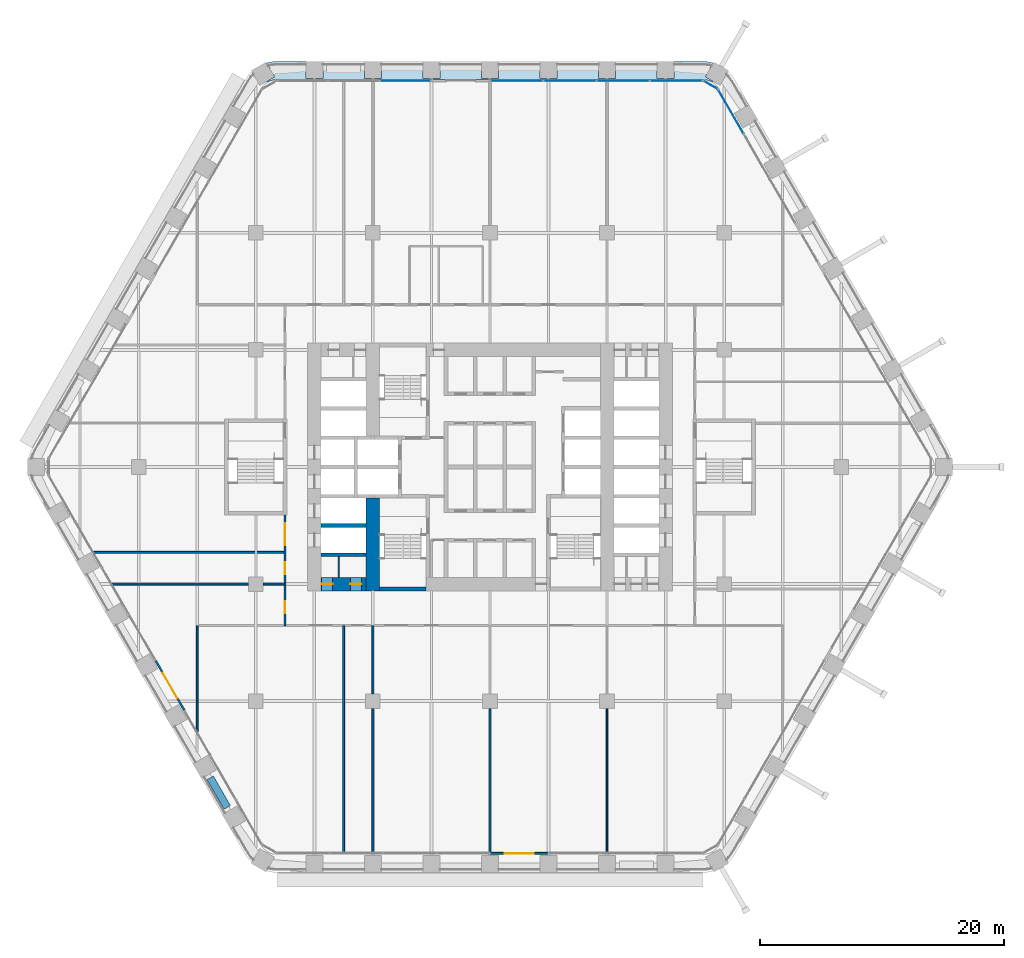
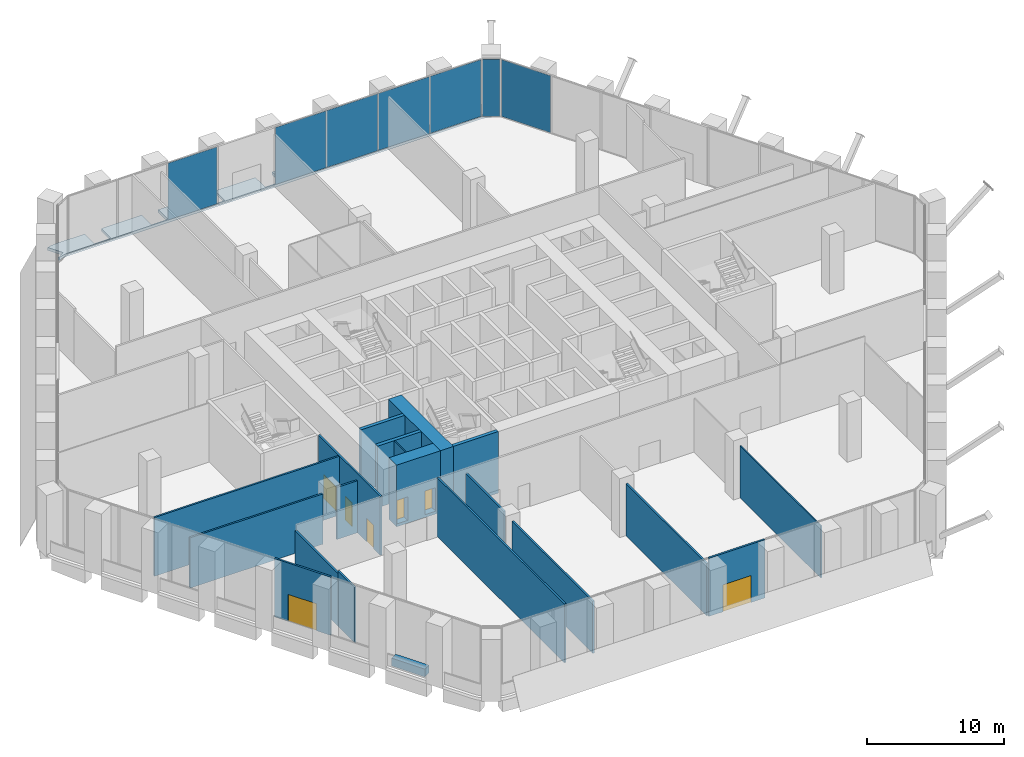
# One storey, part 18 of 29: 20 walls, 7 doors, 7 plates, 1 slab, 7 openings, 4 elements without a shape of their own.
"""IFC4 building model written with IfcOpenShell, lengths in metres."""

from ifc_helpers import new_model, si_unit, direction, frame, frame_2d, origin, origin_2d, place, context, subcontext, project, spatial, polyline, rectangle, outline, extrude, material, layer, layer_set, type_object, element, fill, aggregate, save


model = new_model("IFC4")

# Units and contexts
model_context = context("Model", 3, precision=1e-05, world=origin(), true_north=direction((0.0, 1.0)))
body_context = subcontext(model_context, "Body", "Model", "MODEL_VIEW")
ifc_project = project(units=[si_unit("LENGTHUNIT", "METRE"), si_unit("AREAUNIT", "SQUARE_METRE"), si_unit("VOLUMEUNIT", "CUBIC_METRE"), si_unit("PLANEANGLEUNIT", "RADIAN"), si_unit("MASSUNIT", "GRAM", prefix="KILO")], contexts=[model_context])

# Site, building, storey
site_placement = place(None, origin())
site = spatial("IfcSite", under=ifc_project, at=site_placement, CompositionType="ELEMENT")
building_placement = place(site_placement, origin())
building = spatial("IfcBuilding", under=site, at=building_placement, Name="Kolab Exchange Tower", CompositionType="ELEMENT")
storey_placement = place(building_placement, frame((0.0, 0.0, 55.39990234375)))
storey = spatial("IfcBuildingStorey", under=building, at=storey_placement, Name="L10", CompositionType="ELEMENT", Elevation=55.39990234375)

# Slab
ifc_material_1 = material(Name="Concrete C35/45", Category="concrete")
ifc_layer_1 = layer(ifc_material_1, 0.25)
ifc_layer_set_1 = layer_set([ifc_layer_1], Name="Concrete C35/45")
slab_type = type_object("IfcSlabType", Name="LOGGIA SLAB 250", PredefinedType="FLOOR", material=ifc_layer_set_1)
slab_placement = place(storey_placement, frame((0.0, 0.0, -0.25)))
element("IfcSlab", 1, at=slab_placement, inside=storey, type_object=slab_type, Name="slab/L10/loggia/0-0", PredefinedType="FLOOR", context=body_context, shape_type="SweptSolid", body=[
    extrude(outline(polyline([(18.218017578125, 31.554443359375), (18.26806640625, 31.64111328125), (17.66162109375, 31.990966796875), (18.31494140625, 33.122314453125), (17.989013671875, 33.209716796875), (17.468017578125, 33.25537109375), (15.10009765625, 33.25537109375), (15.10009765625, 31.85546875), (13.699951171875, 31.85546875), (13.699951171875, 33.25537109375), (10.300048828125, 33.25537109375), (10.300048828125, 31.85546875), (8.89990234375, 31.85546875), (8.89990234375, 33.25537109375), (5.5, 33.25537109375), (5.5, 31.85546875), (4.10009765625, 31.85546875), (4.10009765625, 33.25537109375), (0.699951171875, 33.25537109375), (0.699951171875, 31.85546875), (-0.699951171875, 31.85546875), (-0.699951171875, 33.25537109375), (-4.10009765625, 33.25537109375), (-4.10009765625, 31.85546875), (-5.5, 31.85546875), (-5.5, 33.25537109375), (-8.89990234375, 33.25537109375), (-8.89990234375, 31.85546875), (-10.300048828125, 31.85546875), (-10.300048828125, 33.25537109375), (-13.699951171875, 33.25537109375), (-13.699951171875, 31.85546875), (-15.10009765625, 31.85546875), (-15.10009765625, 33.25537109375), (-17.468017578125, 33.25537109375), (-17.989013671875, 33.209716796875), (-18.31494140625, 33.122314453125), (-17.66162109375, 31.990966796875), (-18.26806640625, 31.64111328125), (-18.218017578125, 31.554443359375), (-17.98095703125, 31.664794921875), (-17.728515625, 31.732666015625), (-17.468017578125, 31.75537109375), (17.468017578125, 31.75537109375), (17.728515625, 31.732666015625), (17.98095703125, 31.664794921875), (18.218017578125, 31.554443359375)])), origin(), (0.0, 0.0, 1.0), 0.25),
])

# Curtain wall, plate
ifc_material_2 = material(Name="Aluminium EN AW-6063 T6", Category="aluminium")
curtain_wall_type = type_object("IfcCurtainWallType", Name="UNITISED LOW ZONE CURTAIN WALL", PredefinedType="NOTDEFINED", material=ifc_material_2)
curtain_wall_1_placement = place(storey_placement, origin())
curtain_wall_1 = element("IfcCurtainWall", 2, at=curtain_wall_1_placement, inside=storey, type_object=curtain_wall_type, Name="cw/L10/F1-1", PredefinedType="NOTDEFINED")
ifc_material_3 = material(Name="Clear insulated glazing unit", Category="glass")
ifc_layer_2 = layer(ifc_material_3, 0.02392578125)
ifc_layer_set_2 = layer_set([ifc_layer_2], Name="Clear insulated glazing unit")
plate_type = type_object("IfcPlateType", Name="UNITISED LOW ZONE GLASS PANEL 24", PredefinedType="CURTAIN_PANEL", material=ifc_layer_set_2)
plate_1_placement = place(storey_placement, frame((-6.92626953125, 31.67529296875, 0.06005859375), z_axis=(0.0, 0.0, 1.0), x_axis=(1.0, 0.0, 0.0)))
plate_1 = element("IfcPlate", 3, at=plate_1_placement, type_object=plate_type, Name="CW1 panel 3.1", PredefinedType="CURTAIN_PANEL", context=body_context, shape_type="SweptSolid", body=[
    extrude(rectangle(XDim=4.132568359375, YDim=0.02392578125, at=origin_2d()), origin(), (0.0, 0.0, 1.0), 5.080078125),
])
aggregate(curtain_wall_1, [plate_1])

# Curtain wall, plates
curtain_wall_2_placement = place(storey_placement, origin())
curtain_wall_2 = element("IfcCurtainWall", 4, at=curtain_wall_2_placement, inside=storey, type_object=curtain_wall_type, Name="cw/L10/F1-2", PredefinedType="NOTDEFINED")
plate_2_placement = place(storey_placement, frame((2.198486328125, 31.67529296875, 0.06005859375), z_axis=(0.0, 0.0, 1.0), x_axis=(1.0, 0.0, 0.0)))
plate_2 = element("IfcPlate", 5, at=plate_2_placement, type_object=plate_type, Name="CW1 panel 1.1", PredefinedType="CURTAIN_PANEL", context=body_context, shape_type="SweptSolid", body=[
    extrude(rectangle(XDim=4.277099609375, YDim=0.02392578125, at=origin_2d()), origin(), (0.0, 0.0, 1.0), 5.080078125),
])
plate_3_placement = place(storey_placement, frame((6.550537109375, 31.67529296875, 0.06005859375), z_axis=(0.0, 0.0, 1.0), x_axis=(1.0, 0.0, 0.0)))
plate_3 = element("IfcPlate", 6, at=plate_3_placement, type_object=plate_type, Name="CW1 panel 2.1", PredefinedType="CURTAIN_PANEL", context=body_context, shape_type="SweptSolid", body=[
    extrude(rectangle(XDim=4.306884765625, YDim=0.02392578125, at=origin_2d()), origin(), (0.0, 0.0, 1.0), 5.080078125),
])
plate_4_placement = place(storey_placement, frame((10.91748046875, 31.67529296875, 0.06005859375), z_axis=(0.0, 0.0, 1.0), x_axis=(1.0, 0.0, 0.0)))
plate_4 = element("IfcPlate", 7, at=plate_4_placement, type_object=plate_type, Name="CW1 panel 3.1", PredefinedType="CURTAIN_PANEL", context=body_context, shape_type="SweptSolid", body=[
    extrude(rectangle(XDim=4.306884765625, YDim=0.02392578125, at=origin_2d()), origin(), (0.0, 0.0, 1.0), 5.080078125),
])
plate_5_placement = place(storey_placement, frame((15.26953125, 31.67529296875, 0.06005859375), z_axis=(0.0, 0.0, 1.0), x_axis=(1.0, 0.0, 0.0)))
plate_5 = element("IfcPlate", 8, at=plate_5_placement, type_object=plate_type, Name="CW1 panel 4.1", PredefinedType="CURTAIN_PANEL", context=body_context, shape_type="SweptSolid", body=[
    extrude(rectangle(XDim=4.277099609375, YDim=0.02392578125, at=origin_2d()), origin(), (0.0, 0.0, 1.0), 5.080078125),
])
aggregate(curtain_wall_2, [plate_2, plate_3, plate_4, plate_5])

# Curtain wall, plate
curtain_wall_3_placement = place(storey_placement, origin())
curtain_wall_3 = element("IfcCurtainWall", 9, at=curtain_wall_3_placement, inside=storey, type_object=curtain_wall_type, Name="cw/L10/F2-1", PredefinedType="NOTDEFINED")
plate_6_placement = place(storey_placement, frame((19.760986328125, 29.1240234375, 0.06005859375), z_axis=(0.0, 0.0, 1.0), x_axis=(0.500000017564, -0.866025393644, 0.0)))
plate_6 = element("IfcPlate", 10, at=plate_6_placement, type_object=plate_type, Name="CW1 panel 1.1", PredefinedType="CURTAIN_PANEL", context=body_context, shape_type="SweptSolid", body=[
    extrude(rectangle(XDim=4.132568359375, YDim=0.02392578125, at=origin_2d()), origin(), (0.0, 0.0, 1.0), 5.080078125),
])
aggregate(curtain_wall_3, [plate_6])

curtain_wall_4_placement = place(storey_placement, origin())
curtain_wall_4 = element("IfcCurtainWall", 11, at=curtain_wall_4_placement, inside=storey, type_object=curtain_wall_type, Name="cw/L10/F1F2-corner", PredefinedType="NOTDEFINED")
plate_7_placement = place(storey_placement, frame((18.082763671875, 31.3203125, 0.06005859375), z_axis=(0.0, 0.0, 1.0), x_axis=(0.866025390869, -0.50000002237, 0.0)))
plate_7 = element("IfcPlate", 12, at=plate_7_placement, type_object=plate_type, Name="CW1 panel 1.1", PredefinedType="CURTAIN_PANEL", context=body_context, shape_type="SweptSolid", body=[
    extrude(rectangle(XDim=1.300048828125, YDim=0.02392578125, at=origin_2d()), origin(), (0.0, 0.0, 1.0), 5.080078125),
])
aggregate(curtain_wall_4, [plate_7])

# Wall, openings, doors
ifc_material_4 = material(Name="Concrete C80/95", Category="concrete")
ifc_layer_3 = layer(ifc_material_4, 1.10009765625)
ifc_layer_set_3 = layer_set([ifc_layer_3], Name="Concrete C80/95")
wall_type_1 = type_object("IfcWallType", Name="CORE WALL 1100 C80/95", PredefinedType="SHEAR", material=ifc_layer_set_3)
wall_1_placement = place(storey_placement, frame((-13.85009765625, -9.60009765625, -0.25), z_axis=(0.0, 0.0, 1.0), x_axis=(1.0, 0.0, 0.0)))
wall_1 = element("IfcWall", 13, at=wall_1_placement, inside=storey, type_object=wall_type_1, Name="wall/L10/core/002", PredefinedType="SHEAR", context=body_context, shape_type="SweptSolid", body=[
    extrude(rectangle(XDim=3.7001953125, YDim=1.10009765625, at=frame_2d((1.85009765625, 0.0))), origin(), (0.0, 0.0, 1.0), 5.5),
])
opening_1_placement = place(wall_1_placement, frame((0.050048828125, 0.0, 0.25)))
opening_1 = element("IfcOpeningElement", 14, at=opening_1_placement, cuts=wall_1, Name="Opening D6-112", PredefinedType="OPENING", context=body_context, shape_type="SweptSolid", body=[
    extrude(rectangle(XDim=0.89990234375, YDim=2.10009765625, at=frame_2d((0.449951171875, 1.050048828125))), frame((0.0, 0.56005859375, 0.0), z_axis=(0.0, -1.0, 0.0), x_axis=(1.0, 0.0, 0.0)), (0.0, 0.0, 1.0), 1.1201171875),
])
opening_2_placement = place(wall_1_placement, frame((2.39990234375, 0.0, 0.25)))
opening_2 = element("IfcOpeningElement", 15, at=opening_2_placement, cuts=wall_1, Name="Opening D6-118", PredefinedType="OPENING", context=body_context, shape_type="SweptSolid", body=[
    extrude(rectangle(XDim=0.89990234375, YDim=2.10009765625, at=frame_2d((0.449951171875, 1.050048828125))), frame((0.0, 0.56005859375, 0.0), z_axis=(0.0, -1.0, 0.0), x_axis=(1.0, 0.0, 0.0)), (0.0, 0.0, 1.0), 1.1201171875),
])
ifc_material_5 = material(Name="Steel S235", Category="steel")
door_type_1 = type_object("IfcDoorType", Name="CORE DOOR 900 EI 120", OperationType="SINGLE_SWING_LEFT", PredefinedType="DOOR", material=ifc_material_5)
door_1_placement = place(opening_1_placement, origin())
door_1 = element("IfcDoor", 16, at=door_1_placement, inside=storey, type_object=door_type_1, Name="Service room door", OperationType="SINGLE_SWING_RIGHT", OverallHeight=2.10009765625, OverallWidth=0.89990234375, PredefinedType="DOOR", context=body_context, shape_type="SweptSolid", body=[
    extrude(rectangle(XDim=0.89990234375, YDim=2.10009765625, at=frame_2d((0.449951171875, 1.050048828125))), frame((0.0, 0.02490234375, 0.0), z_axis=(0.0, -1.0, 0.0), x_axis=(1.0, 0.0, 0.0)), (0.0, 0.0, 1.0), 0.050048828125),
])
fill(opening_1, door_1)
door_2_placement = place(opening_2_placement, origin())
door_2 = element("IfcDoor", 17, at=door_2_placement, inside=storey, type_object=door_type_1, Name="Service room door", OperationType="SINGLE_SWING_LEFT", OverallHeight=2.10009765625, OverallWidth=0.89990234375, PredefinedType="DOOR", context=body_context, shape_type="SweptSolid", body=[
    extrude(rectangle(XDim=0.89990234375, YDim=2.10009765625, at=frame_2d((0.449951171875, 1.050048828125))), frame((0.0, 0.02490234375, 0.0), z_axis=(0.0, -1.0, 0.0), x_axis=(1.0, 0.0, 0.0)), (0.0, 0.0, 1.0), 0.050048828125),
])
fill(opening_2, door_2)

# Wall
wall_2_placement = place(storey_placement, frame((-9.60009765625, -10.14990234375, -0.25), z_axis=(0.0, 0.0, 1.0), x_axis=(0.0, 1.0, 0.0)))
element("IfcWall", 18, at=wall_2_placement, inside=storey, type_object=wall_type_1, Name="wall/L10/core/059", PredefinedType="SHEAR", context=body_context, shape_type="SweptSolid", body=[
    extrude(rectangle(XDim=7.599853515625, YDim=1.10009765625, at=frame_2d((3.7998046875, 0.0))), origin(), (0.0, 0.0, 1.0), 5.5),
])

# Wall, opening, door
ifc_layer_4 = layer(ifc_material_2, 0.159912109375)
ifc_layer_set_4 = layer_set([ifc_layer_4], Name="Aluminium EN AW-6063 T6")
wall_type_2 = type_object("IfcWallType", Name="DOOR SURROUND WALL 160 ALUMINIUM FRAMED", PredefinedType="PARTITIONING", material=ifc_layer_set_4)
wall_3_placement = place(storey_placement, frame((4.77001953125, -31.67529296875, 0.0), z_axis=(0.0, 0.0, 1.0), x_axis=(-1.0, 0.0, 0.0)))
wall_3 = element("IfcWall", 19, at=wall_3_placement, inside=storey, type_object=wall_type_2, Name="Door surround wall", PredefinedType="PARTITIONING", context=body_context, shape_type="SweptSolid", body=[
    extrude(rectangle(XDim=4.739990234375, YDim=0.159912109375, at=frame_2d((2.3701171875, 0.0))), origin(), (0.0, 0.0, 1.0), 5.2001953125),
])
opening_3_placement = place(wall_3_placement, frame((1.169921875, 0.0, 0.0)))
opening_3 = element("IfcOpeningElement", 20, at=opening_3_placement, cuts=wall_3, Name="Opening GD1-026", PredefinedType="OPENING", context=body_context, shape_type="SweptSolid", body=[
    extrude(rectangle(XDim=2.39990234375, YDim=2.39990234375, at=frame_2d((1.199951171875, 1.199951171875))), frame((0.0, 0.08984375, 0.0), z_axis=(0.0, -1.0, 0.0), x_axis=(1.0, 0.0, 0.0)), (0.0, 0.0, 1.0), 0.179931640625),
])
door_type_2 = type_object("IfcDoorType", Name="LOGGIA SLIDING GLASS DOOR 2400 X 2400", OperationType="DOUBLE_DOOR_SINGLE_SWING", PredefinedType="DOOR", material=ifc_material_2)
door_3_placement = place(opening_3_placement, origin())
door_3 = element("IfcDoor", 21, at=door_3_placement, inside=storey, type_object=door_type_2, Name="Loggia door", OperationType="DOUBLE_DOOR_SLIDING", OverallHeight=2.39990234375, OverallWidth=2.39990234375, PredefinedType="DOOR", context=body_context, shape_type="SweptSolid", body=[
    extrude(rectangle(XDim=2.39990234375, YDim=2.39990234375, at=frame_2d((1.199951171875, 1.199951171875))), frame((0.0, 0.02490234375, 0.0), z_axis=(0.0, -1.0, 0.0), x_axis=(1.0, 0.0, 0.0)), (0.0, 0.0, 1.0), 0.050048828125),
])
fill(opening_3, door_3)

wall_4_placement = place(storey_placement, frame((-25.046630859375, -19.96875, 0.0), z_axis=(0.0, 0.0, 1.0), x_axis=(-0.5000167099, 0.866015756104, 0.0)))
wall_4 = element("IfcWall", 22, at=wall_4_placement, inside=storey, type_object=wall_type_2, Name="Door surround wall", PredefinedType="PARTITIONING", context=body_context, shape_type="SweptSolid", body=[
    extrude(rectangle(XDim=4.739990234375, YDim=0.159912109375, at=frame_2d((2.3701171875, 0.0))), origin(), (0.0, 0.0, 1.0), 5.2001953125),
])
opening_4_placement = place(wall_4_placement, frame((1.169921875, 0.0, 0.0)))
opening_4 = element("IfcOpeningElement", 23, at=opening_4_placement, cuts=wall_4, Name="Opening GD1-027", PredefinedType="OPENING", context=body_context, shape_type="SweptSolid", body=[
    extrude(rectangle(XDim=2.39990234375, YDim=2.39990234375, at=frame_2d((1.199951171875, 1.199951171875))), frame((0.0, 0.08984375, 0.0), z_axis=(0.0, -1.0, 0.0), x_axis=(1.0, 0.0, 0.0)), (0.0, 0.0, 1.0), 0.179931640625),
])
door_4_placement = place(opening_4_placement, origin())
door_4 = element("IfcDoor", 24, at=door_4_placement, inside=storey, type_object=door_type_2, Name="Loggia door", OperationType="DOUBLE_DOOR_SLIDING", OverallHeight=2.39990234375, OverallWidth=2.39990234375, PredefinedType="DOOR", context=body_context, shape_type="SweptSolid", body=[
    extrude(rectangle(XDim=2.39990234375, YDim=2.39990234375, at=frame_2d((1.199951171875, 1.199951171875))), frame((0.0, 0.02490234375, 0.0), z_axis=(0.0, -1.0, 0.0), x_axis=(1.0, 0.0, 0.0)), (0.0, 0.0, 1.0), 0.050048828125),
])
fill(opening_4, door_4)

# Walls
ifc_material_6 = material(Name="Concrete C50/60", Category="concrete")
ifc_layer_5 = layer(ifc_material_6, 0.300048828125)
ifc_layer_set_5 = layer_set([ifc_layer_5], Name="Concrete C50/60")
wall_type_3 = type_object("IfcWallType", Name="LIFT SHAFT WALL 300 C50/60", PredefinedType="STANDARD", material=ifc_layer_set_5)
for number, where, z_axis, x_axis, name in (
    (25, (-13.85009765625, -7.199951171875, -0.25), (0.0, 0.0, 1.0), (1.0, 0.0, 0.0), "wall/L10/core/005"),
    (26, (-13.85009765625, -4.800048828125, -0.25), (0.0, 0.0, 1.0), (1.0, 0.0, 0.0), "wall/L10/core/010"),
):
    element("IfcWall", number, at=place(storey_placement, frame(where, z_axis=z_axis, x_axis=x_axis)), inside=storey, type_object=wall_type_3, Name=name, PredefinedType="STANDARD", context=body_context, shape_type="SweptSolid", body=[
        extrude(rectangle(XDim=3.7001953125, YDim=0.300048828125, at=frame_2d((1.85009765625, 0.0))), origin(), (0.0, 0.0, 1.0), 5.5),
    ])
ifc_material_7 = material(Name="Gypsum board", Category="gypsum")
ifc_layer_6 = layer(ifc_material_7, 0.10009765625)
ifc_layer_set_6 = layer_set([ifc_layer_6], Name="Gypsum board")
wall_type_4 = type_object("IfcWallType", Name="PARTITION 100", PredefinedType="PARTITIONING", material=ifc_layer_set_6)
wall_5_placement = place(storey_placement, frame((9.60009765625, -31.58544921875, 0.0), z_axis=(0.0, 0.0, 1.0), x_axis=(0.0, 1.0, 0.0)))
element("IfcWall", 27, at=wall_5_placement, inside=storey, type_object=wall_type_4, Name="Partition 008", PredefinedType="PARTITIONING", context=body_context, shape_type="SweptSolid", body=[
    extrude(rectangle(XDim=11.785400390625, YDim=0.10009765625, at=frame_2d((5.892578125, 0.0))), origin(), (0.0, 0.0, 1.0), 4.64208984375),
])
wall_6_placement = place(storey_placement, frame((-12.39990234375, -9.050048828125, 0.0), z_axis=(0.0, 0.0, 1.0), x_axis=(0.0, 1.0, 0.0)))
element("IfcWall", 28, at=wall_6_placement, inside=storey, type_object=wall_type_4, Name="Partition 027", PredefinedType="PARTITIONING", context=body_context, shape_type="SweptSolid", body=[
    extrude(rectangle(XDim=1.699951171875, YDim=0.10009765625, at=frame_2d((0.85009765625, 0.0))), origin(), (0.0, 0.0, 1.0), 5.25),
])
ifc_layer_7 = layer(ifc_material_7, 0.14990234375)
ifc_layer_set_7 = layer_set([ifc_layer_7], Name="Gypsum board")
wall_type_5 = type_object("IfcWallType", Name="PARTITION 150 FIRE-RATED", PredefinedType="PARTITIONING", material=ifc_layer_set_7)
wall_7_placement = place(storey_placement, frame((0.0, -31.595458984375, 0.0), z_axis=(0.0, 0.0, 1.0), x_axis=(0.0, 1.0, 0.0)))
element("IfcWall", 29, at=wall_7_placement, inside=storey, type_object=wall_type_5, Name="Partition 012", PredefinedType="PARTITIONING", context=body_context, shape_type="SweptSolid", body=[
    extrude(rectangle(XDim=11.79541015625, YDim=0.14990234375, at=frame_2d((5.897705078125, 0.0))), origin(), (0.0, 0.0, 1.0), 4.64208984375),
])
wall_8_placement = place(storey_placement, frame((-9.60009765625, -31.58544921875, 0.0), z_axis=(0.0, 0.0, 1.0), x_axis=(0.0, 1.0, 0.0)))
element("IfcWall", 30, at=wall_8_placement, inside=storey, type_object=wall_type_5, Name="Partition 020", PredefinedType="PARTITIONING", context=body_context, shape_type="SweptSolid", body=[
    extrude(rectangle(XDim=11.785400390625, YDim=0.14990234375, at=frame_2d((5.892578125, 0.0))), origin(), (0.0, 0.0, 1.0), 4.64208984375),
])
wall_9_placement = place(storey_placement, frame((-9.60009765625, -18.60009765625, 0.0), z_axis=(0.0, 0.0, 1.0), x_axis=(0.0, 1.0, 0.0)))
element("IfcWall", 31, at=wall_9_placement, inside=storey, type_object=wall_type_5, Name="Partition 021", PredefinedType="PARTITIONING", context=body_context, shape_type="SweptSolid", body=[
    extrude(rectangle(XDim=5.60009765625, YDim=0.14990234375, at=frame_2d((2.800048828125, 0.0))), origin(), (0.0, 0.0, 1.0), 4.793212890625),
])
wall_10_placement = place(storey_placement, frame((-12.0, -31.58544921875, 0.0), z_axis=(0.0, 0.0, 1.0), x_axis=(0.0, 1.0, 0.0)))
element("IfcWall", 32, at=wall_10_placement, inside=storey, type_object=wall_type_5, Name="Partition 025", PredefinedType="PARTITIONING", context=body_context, shape_type="SweptSolid", body=[
    extrude(rectangle(XDim=18.58544921875, YDim=0.14990234375, at=frame_2d((9.292724609375, 0.0))), origin(), (0.0, 0.0, 1.0), 5.25),
])

# Wall, openings, doors
wall_11_placement = place(storey_placement, frame((-16.800048828125, -13.0, 0.0), z_axis=(0.0, 0.0, 1.0), x_axis=(0.0, 1.0, 0.0)))
wall_11 = element("IfcWall", 33, at=wall_11_placement, inside=storey, type_object=wall_type_5, Name="Partition 028", PredefinedType="PARTITIONING", context=body_context, shape_type="SweptSolid", body=[
    extrude(rectangle(XDim=9.050048828125, YDim=0.14990234375, at=frame_2d((4.52490234375, 0.0))), origin(), (0.0, 0.0, 1.0), 5.25),
])
opening_5_placement = place(wall_11_placement, frame((1.0, 0.0, 0.0)))
opening_5 = element("IfcOpeningElement", 34, at=opening_5_placement, cuts=wall_11, Name="Opening D1-120", PredefinedType="OPENING", context=body_context, shape_type="SweptSolid", body=[
    extrude(rectangle(XDim=1.0, YDim=2.10009765625, at=frame_2d((0.5, 1.050048828125))), frame((0.0, 0.0849609375, 0.0), z_axis=(0.0, -1.0, 0.0), x_axis=(1.0, 0.0, 0.0)), (0.0, 0.0, 1.0), 0.169921875),
])
opening_6_placement = place(wall_11_placement, frame((4.199951171875, 0.0, 0.0)))
opening_6 = element("IfcOpeningElement", 35, at=opening_6_placement, cuts=wall_11, Name="Opening D1-121", PredefinedType="OPENING", context=body_context, shape_type="SweptSolid", body=[
    extrude(rectangle(XDim=1.0, YDim=2.10009765625, at=frame_2d((0.5, 1.050048828125))), frame((0.0, 0.0849609375, 0.0), z_axis=(0.0, -1.0, 0.0), x_axis=(1.0, 0.0, 0.0)), (0.0, 0.0, 1.0), 0.169921875),
])
opening_7_placement = place(wall_11_placement, frame((6.574951171875, 0.0, 0.0)))
opening_7 = element("IfcOpeningElement", 36, at=opening_7_placement, cuts=wall_11, Name="Opening D2-026", PredefinedType="OPENING", context=body_context, shape_type="SweptSolid", body=[
    extrude(rectangle(XDim=1.800048828125, YDim=2.10009765625, at=frame_2d((0.89990234375, 1.050048828125))), frame((0.0, 0.0849609375, 0.0), z_axis=(0.0, -1.0, 0.0), x_axis=(1.0, 0.0, 0.0)), (0.0, 0.0, 1.0), 0.169921875),
])
door_type_3 = type_object("IfcDoorType", Name="DOUBLE DOOR 1800 FD60", OperationType="DOUBLE_DOOR_SINGLE_SWING", PredefinedType="DOOR", material=ifc_material_5)
door_5_placement = place(opening_7_placement, origin())
door_5 = element("IfcDoor", 37, at=door_5_placement, inside=storey, type_object=door_type_3, Name="Door L10-068", OperationType="SINGLE_SWING_LEFT", OverallHeight=2.10009765625, OverallWidth=1.800048828125, PredefinedType="DOOR", context=body_context, shape_type="SweptSolid", body=[
    extrude(rectangle(XDim=1.800048828125, YDim=2.10009765625, at=frame_2d((0.89990234375, 1.050048828125))), frame((0.0, 0.02490234375, 0.0), z_axis=(0.0, -1.0, 0.0), x_axis=(1.0, 0.0, 0.0)), (0.0, 0.0, 1.0), 0.050048828125),
])
fill(opening_7, door_5)
door_type_4 = type_object("IfcDoorType", Name="FLUSH DOOR 1000 FD60", OperationType="SINGLE_SWING_LEFT", PredefinedType="DOOR", material=ifc_material_5)
door_6_placement = place(opening_5_placement, origin())
door_6 = element("IfcDoor", 38, at=door_6_placement, inside=storey, type_object=door_type_4, Name="Door L10-066", OperationType="SINGLE_SWING_LEFT", OverallHeight=2.10009765625, OverallWidth=1.0, PredefinedType="DOOR", context=body_context, shape_type="SweptSolid", body=[
    extrude(rectangle(XDim=1.0, YDim=2.10009765625, at=frame_2d((0.5, 1.050048828125))), frame((0.0, 0.02490234375, 0.0), z_axis=(0.0, -1.0, 0.0), x_axis=(1.0, 0.0, 0.0)), (0.0, 0.0, 1.0), 0.050048828125),
])
fill(opening_5, door_6)
door_7_placement = place(opening_6_placement, origin())
door_7 = element("IfcDoor", 39, at=door_7_placement, inside=storey, type_object=door_type_4, Name="Door L10-067", OperationType="SINGLE_SWING_LEFT", OverallHeight=2.10009765625, OverallWidth=1.0, PredefinedType="DOOR", context=body_context, shape_type="SweptSolid", body=[
    extrude(rectangle(XDim=1.0, YDim=2.10009765625, at=frame_2d((0.5, 1.050048828125))), frame((0.0, 0.02490234375, 0.0), z_axis=(0.0, -1.0, 0.0), x_axis=(1.0, 0.0, 0.0)), (0.0, 0.0, 1.0), 0.050048828125),
])
fill(opening_6, door_7)

# Walls
wall_12_placement = place(storey_placement, frame((-24.0, -19.27392578125, 0.0), z_axis=(0.0, 0.0, 1.0), x_axis=(0.0, 1.0, 0.0)))
element("IfcWall", 40, at=wall_12_placement, inside=storey, type_object=wall_type_5, Name="Partition 030", PredefinedType="PARTITIONING", context=body_context, shape_type="SweptSolid", body=[
    extrude(rectangle(XDim=6.27392578125, YDim=0.14990234375, at=frame_2d((3.136962890625, 0.0))), origin(), (0.0, 0.0, 1.0), 4.717041015625),
])
wall_13_placement = place(storey_placement, frame((-24.0, -21.701416015625, 0.0), z_axis=(0.0, 0.0, 1.0), x_axis=(0.0, 1.0, 0.0)))
element("IfcWall", 41, at=wall_13_placement, inside=storey, type_object=wall_type_5, Name="Partition 030", PredefinedType="PARTITIONING", context=body_context, shape_type="SweptSolid", body=[
    extrude(rectangle(XDim=2.427490234375, YDim=0.14990234375, at=frame_2d((1.2138671875, 0.0))), origin(), (0.0, 0.0, 1.0), 4.940185546875),
])
wall_14_placement = place(storey_placement, frame((-30.98681640625, -9.60009765625, 0.0), z_axis=(0.0, 0.0, 1.0), x_axis=(1.0, 0.0, 0.0)))
element("IfcWall", 42, at=wall_14_placement, inside=storey, type_object=wall_type_5, Name="Partition 036", PredefinedType="PARTITIONING", context=body_context, shape_type="SweptSolid", body=[
    extrude(rectangle(XDim=11.186767578125, YDim=0.14990234375, at=frame_2d((5.59326171875, 0.0))), origin(), (0.0, 0.0, 1.0), 4.488037109375),
])
wall_15_placement = place(storey_placement, frame((-18.60009765625, -9.60009765625, 0.0), z_axis=(0.0, 0.0, 1.0), x_axis=(1.0, 0.0, 0.0)))
element("IfcWall", 43, at=wall_15_placement, inside=storey, type_object=wall_type_5, Name="Partition 037", PredefinedType="PARTITIONING", context=body_context, shape_type="SweptSolid", body=[
    extrude(rectangle(XDim=1.800048828125, YDim=0.14990234375, at=frame_2d((0.89990234375, 0.0))), origin(), (0.0, 0.0, 1.0), 4.64208984375),
])
wall_16_placement = place(storey_placement, frame((-32.48779296875, -7.0, 0.0), z_axis=(0.0, 0.0, 1.0), x_axis=(1.0, 0.0, 0.0)))
element("IfcWall", 44, at=wall_16_placement, inside=storey, type_object=wall_type_5, Name="Partition 038", PredefinedType="PARTITIONING", context=body_context, shape_type="SweptSolid", body=[
    extrude(rectangle(XDim=15.687744140625, YDim=0.14990234375, at=frame_2d((7.84375, 0.0))), origin(), (0.0, 0.0, 1.0), 5.25),
])
ifc_material_8 = material(Name="Granite facing", Category="masonry")
ifc_layer_8 = layer(ifc_material_8, 0.0400390625)
ifc_material_9 = material(Name="Concrete C40/50 precast", Category="concrete")
ifc_layer_9 = layer(ifc_material_9, 0.56005859375)
ifc_layer_set_8 = layer_set([ifc_layer_8, ifc_layer_9], Name="Concrete C40/50 precast")
wall_type_6 = type_object("IfcWallType", Name="PLANTER BOX 600 X 700 SOIL DEPTH 550", PredefinedType="USERDEFINED", material=ifc_layer_set_8)
wall_17_placement = place(storey_placement, frame((-21.537109375, -27.907470703125, 0.0), z_axis=(0.0, 0.0, 1.0), x_axis=(-0.49998411664, 0.866034573852, 0.0)))
element("IfcWall", 45, at=wall_17_placement, inside=storey, type_object=wall_type_6, Name="Planter", ObjectType="PLANTER", PredefinedType="USERDEFINED", context=body_context, shape_type="SweptSolid", body=[
    extrude(rectangle(XDim=2.7998046875, YDim=0.60009765625, at=frame_2d((1.39990234375, 0.0))), origin(), (0.0, 0.0, 1.0), 0.7001953125),
])
ifc_layer_10 = layer(ifc_material_6, 0.300048828125)
ifc_layer_set_9 = layer_set([ifc_layer_10], Name="Concrete C50/60")
wall_type_7 = type_object("IfcWallType", Name="STAIR ENCLOSURE WALL 300 C50/60", PredefinedType="STANDARD", material=ifc_layer_set_9)
wall_18_placement = place(storey_placement, frame((-9.050048828125, -10.0, -0.25), z_axis=(0.0, 0.0, 1.0), x_axis=(1.0, 0.0, 0.0)))
element("IfcWall", 46, at=wall_18_placement, inside=storey, type_object=wall_type_7, Name="wall/L10/core/000", PredefinedType="STANDARD", context=body_context, shape_type="SweptSolid", body=[
    extrude(rectangle(XDim=3.800048828125, YDim=0.300048828125, at=frame_2d((1.89990234375, 0.0))), origin(), (0.0, 0.0, 1.0), 5.5),
])

save(model, "model.ifc")
